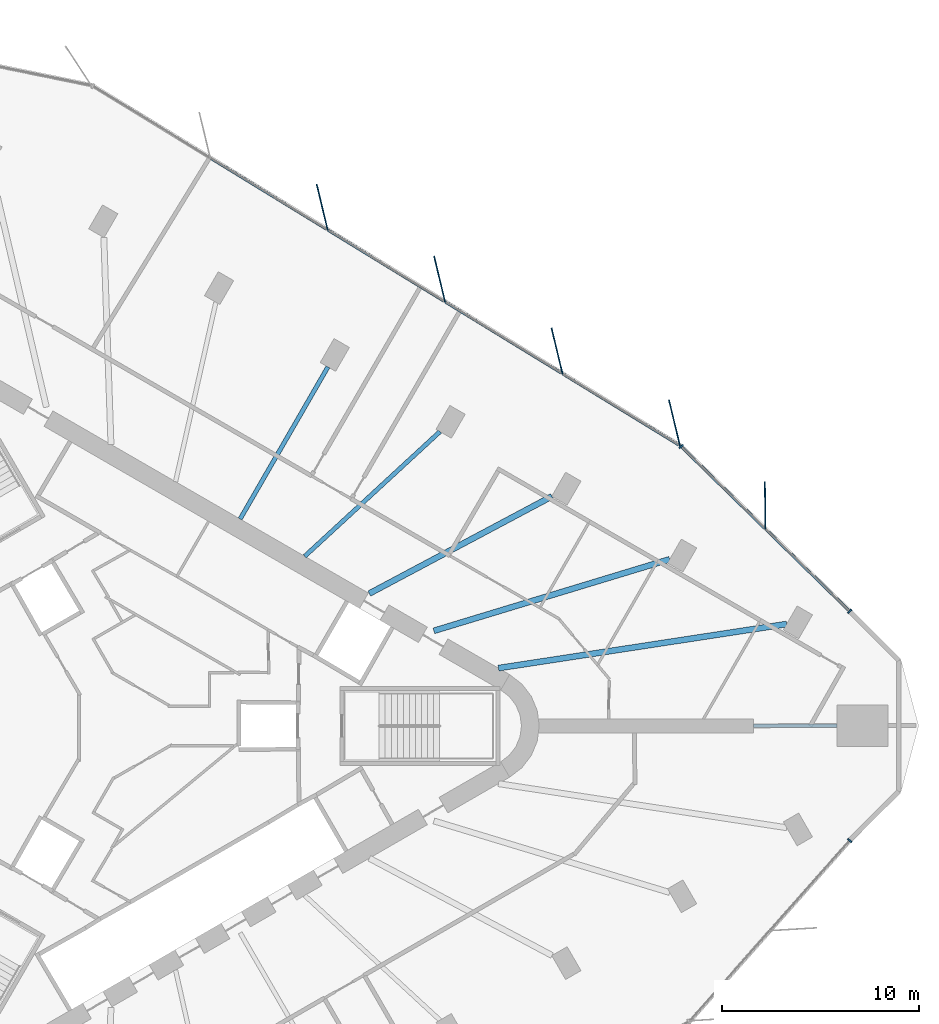
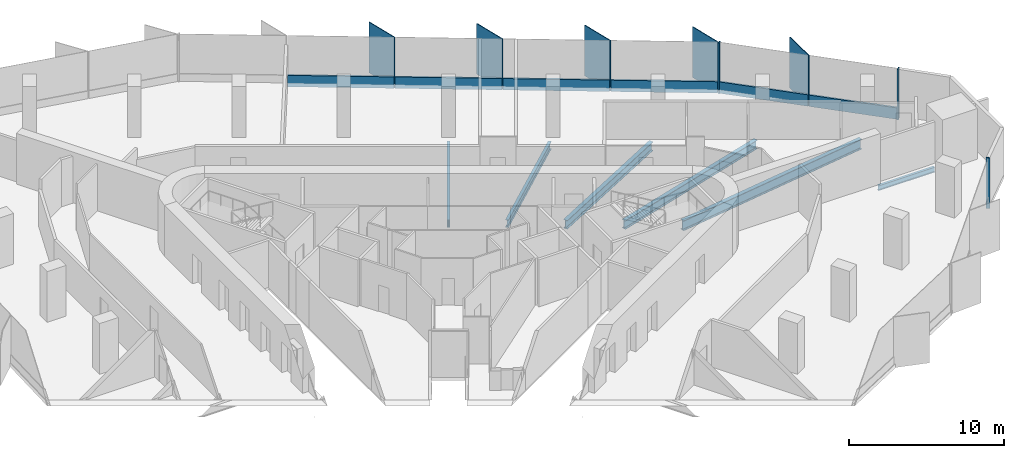
# One storey, part 5 of 14: 14 members, 6 beams, 3 elements without a shape of their own.
"""IFC4 building model written with IfcOpenShell, lengths in metres."""

from ifc_helpers import new_model, si_unit, direction, frame, origin, origin_2d, place, context, subcontext, project, spatial, rectangle, i_section, extrude, material, material_profile, profile_set, type_object, element, aggregate, save


model = new_model("IFC4")

# Units and contexts
model_context = context("Model", 3, precision=1e-05, world=origin(), true_north=direction((0.0, 1.0)))
body_context = subcontext(model_context, "Body", "Model", "MODEL_VIEW")
ifc_project = project(units=[si_unit("LENGTHUNIT", "METRE"), si_unit("AREAUNIT", "SQUARE_METRE"), si_unit("VOLUMEUNIT", "CUBIC_METRE"), si_unit("PLANEANGLEUNIT", "RADIAN"), si_unit("MASSUNIT", "GRAM", prefix="KILO")], contexts=[model_context])

# Site, building, storey
site_placement = place(None, origin())
site = spatial("IfcSite", under=ifc_project, at=site_placement, CompositionType="ELEMENT")
building_placement = place(site_placement, origin())
building = spatial("IfcBuilding", under=site, at=building_placement, Name="Tanit Gate Tower", CompositionType="ELEMENT")
storey_placement = place(building_placement, frame((0.0, 0.0, 249.199951171875)))
storey = spatial("IfcBuildingStorey", under=building, at=storey_placement, Name="L56", CompositionType="ELEMENT", Elevation=249.199951171875)

# Curtain wall, member
ifc_material_1 = material(Name="Aluminium bronze anodised and glass", Category="aluminium")
curtain_wall_type = type_object("IfcCurtainWallType", Name="Curtain wall typical mid", PredefinedType="NOTDEFINED", material=ifc_material_1)
curtain_wall_1_placement = place(storey_placement, origin())
curtain_wall_1 = element("IfcCurtainWall", 1, at=curtain_wall_1_placement, inside=storey, type_object=curtain_wall_type, Name="Curtain wall L56 NE1", PredefinedType="NOTDEFINED")
ifc_material_2 = material(Name="Aluminium bronze anodised", Category="aluminium")
ifc_material_profile_1 = material_profile(ifc_material_2, rectangle(XDim=2.39990234375, YDim=0.055908203125, at=origin_2d()), Name="56x2400 bronze fin mullion")
ifc_profile_set_1 = profile_set([ifc_material_profile_1], Name="Aluminium bronze anodised")
member_type_1 = type_object("IfcMemberType", Name="FIN MULLION 56x2400 bronze", PredefinedType="MULLION", material=ifc_profile_set_1)
member_1_placement = place(storey_placement, frame((32.64208984375, 11.155029296875, -0.300048828125), z_axis=(0.0, 0.0, 1.0), x_axis=(0.011210921491, -0.999937155645, 0.0)))
member_1 = element("IfcMember", 2, at=member_1_placement, type_object=member_type_1, Name="Fin mullion L56 NE1.2", PredefinedType="MULLION", context=body_context, shape_type="SweptSolid", body=[
    extrude(rectangle(XDim=2.39990234375, YDim=0.055908203125, at=origin_2d()), origin(), (0.0, 0.0, 1.0), 4.0),
])

# Curtain wall, members
curtain_wall_2_placement = place(storey_placement, origin())
curtain_wall_2 = element("IfcCurtainWall", 3, at=curtain_wall_2_placement, inside=storey, type_object=curtain_wall_type, Name="Curtain wall L56 NE2", PredefinedType="NOTDEFINED")
member_2_placement = place(storey_placement, frame((28.048828125, 15.344970703125, -0.300048828125), z_axis=(0.0, 0.0, 1.0), x_axis=(0.233691416098, -0.972310815553, 0.0)))
member_2 = element("IfcMember", 4, at=member_2_placement, type_object=member_type_1, Name="Fin mullion L56 NE2.1", PredefinedType="MULLION", context=body_context, shape_type="SweptSolid", body=[
    extrude(rectangle(XDim=2.39990234375, YDim=0.055908203125, at=origin_2d()), origin(), (0.0, 0.0, 1.0), 4.0),
])
member_3_placement = place(storey_placement, frame((22.101318359375, 18.987548828125, -0.300048828125), z_axis=(0.0, 0.0, 1.0), x_axis=(0.233691416098, -0.972310815553, 0.0)))
member_3 = element("IfcMember", 5, at=member_3_placement, type_object=member_type_1, Name="Fin mullion L56 NE2.2", PredefinedType="MULLION", context=body_context, shape_type="SweptSolid", body=[
    extrude(rectangle(XDim=2.39990234375, YDim=0.055908203125, at=origin_2d()), origin(), (0.0, 0.0, 1.0), 4.0),
])
member_4_placement = place(storey_placement, frame((16.154052734375, 22.6298828125, -0.300048828125), z_axis=(0.0, 0.0, 1.0), x_axis=(0.233691416098, -0.972310815553, 0.0)))
member_4 = element("IfcMember", 6, at=member_4_placement, type_object=member_type_1, Name="Fin mullion L56 NE2.3", PredefinedType="MULLION", context=body_context, shape_type="SweptSolid", body=[
    extrude(rectangle(XDim=2.39990234375, YDim=0.055908203125, at=origin_2d()), origin(), (0.0, 0.0, 1.0), 4.0),
])
member_5_placement = place(storey_placement, frame((10.206787109375, 26.2724609375, -0.300048828125), z_axis=(0.0, 0.0, 1.0), x_axis=(0.233691416098, -0.972310815553, 0.0)))
member_5 = element("IfcMember", 7, at=member_5_placement, type_object=member_type_1, Name="Fin mullion L56 NE2.4", PredefinedType="MULLION", context=body_context, shape_type="SweptSolid", body=[
    extrude(rectangle(XDim=2.39990234375, YDim=0.055908203125, at=origin_2d()), origin(), (0.0, 0.0, 1.0), 4.0),
])

# Member
ifc_material_3 = material(Name="Aluminium bronze anodised", Category="aluminium")
ifc_material_profile_2 = material_profile(ifc_material_3, rectangle(XDim=0.260009765625, YDim=0.080078125, at=origin_2d()), Name="80x260 bronze mullion")
ifc_profile_set_2 = profile_set([ifc_material_profile_2], Name="Aluminium bronze anodised")
member_type_2 = type_object("IfcMemberType", Name="Mullion 80x260 typical mid", PredefinedType="MULLION", material=ifc_profile_set_2)
member_6_placement = place(storey_placement, frame((36.923583984375, 5.802734375, -0.300048828125), z_axis=(0.0, 0.0, 1.0), x_axis=(-0.699135024907, -0.714989662126, 0.0)))
member_6 = element("IfcMember", 8, at=member_6_placement, type_object=member_type_2, Name="Mullion L56 NE1.1", PredefinedType="MULLION", context=body_context, shape_type="SweptSolid", body=[
    extrude(rectangle(XDim=0.260009765625, YDim=0.080078125, at=origin_2d()), origin(), (0.0, 0.0, 1.0), 4.0),
])

member_7_placement = place(storey_placement, frame((28.386962890625, 14.150146484375, -0.300048828125), z_axis=(0.0, 0.0, 1.0), x_axis=(-0.699135024907, -0.714989662126, 0.0)))
member_7 = element("IfcMember", 9, at=member_7_placement, type_object=member_type_2, Name="Mullion L56 NE1.3", PredefinedType="MULLION", context=body_context, shape_type="SweptSolid", body=[
    extrude(rectangle(XDim=0.260009765625, YDim=0.080078125, at=origin_2d()), origin(), (0.0, 0.0, 1.0), 4.0),
])

# Curtain wall, member
curtain_wall_3_placement = place(storey_placement, origin())
curtain_wall_3 = element("IfcCurtainWall", 10, at=curtain_wall_3_placement, inside=storey, type_object=curtain_wall_type, Name="Curtain wall L56 SE3", PredefinedType="NOTDEFINED")
member_8_placement = place(storey_placement, frame((36.922607421875, -5.807861328125, -0.300048828125), z_axis=(0.0, 0.0, 1.0), x_axis=(-0.748461606698, 0.663178123356, 0.0)))
member_8 = element("IfcMember", 11, at=member_8_placement, type_object=member_type_2, Name="Mullion L56 SE3.3", PredefinedType="MULLION", context=body_context, shape_type="SweptSolid", body=[
    extrude(rectangle(XDim=0.260009765625, YDim=0.080078125, at=origin_2d()), origin(), (0.0, 0.0, 1.0), 4.0),
])
aggregate(curtain_wall_3, [member_8])

# Beams
ifc_material_4 = material(Name="Steel S355", Category="steel")
ifc_material_profile_3 = material_profile(ifc_material_4, i_section(OverallWidth=0.300048828125, OverallDepth=0.68994140625, WebThickness=0.014404296875, FlangeThickness=0.027099609375, FilletRadius=0.027099609375, at=origin_2d()), Name="HEA 700")
ifc_profile_set_3 = profile_set([ifc_material_profile_3], Name="Steel S355")
beam_type_1 = type_object("IfcBeamType", Name="RADIAL GIRDER HEA 700 S355", PredefinedType="BEAM", material=ifc_profile_set_3)
beam_1_placement = place(storey_placement, frame((27.80810546875, 8.439208984375, -0.64501953125), z_axis=(-0.956906204487, -0.290397169089, 0.0), x_axis=(0.290397169089, -0.956906204487, 0.0)))
element("IfcBeam", 12, at=beam_1_placement, inside=storey, type_object=beam_type_1, Name="RADIAL GIRDER", PredefinedType="BEAM", context=body_context, shape_type="SweptSolid", body=[
    extrude(i_section(OverallWidth=0.300048828125, OverallDepth=0.68994140625, WebThickness=0.014404296875, FlangeThickness=0.027099609375, FilletRadius=0.027099609375, at=origin_2d()), origin(), (0.0, 0.0, 1.0), 12.481201171875),
])
beam_2_placement = place(storey_placement, frame((21.845947265625, 11.628173828125, -0.64501953125), z_axis=(-0.882742084466, -0.469857863947, 0.0), x_axis=(0.469857863947, -0.882742084466, 0.0)))
element("IfcBeam", 13, at=beam_2_placement, inside=storey, type_object=beam_type_1, Name="RADIAL GIRDER", PredefinedType="BEAM", context=body_context, shape_type="SweptSolid", body=[
    extrude(i_section(OverallWidth=0.300048828125, OverallDepth=0.68994140625, WebThickness=0.014404296875, FlangeThickness=0.027099609375, FilletRadius=0.027099609375, at=origin_2d()), origin(), (0.0, 0.0, 1.0), 10.4814453125),
])
ifc_material_5 = material(Name="Steel S355", Category="steel")
ifc_material_profile_4 = material_profile(ifc_material_5, i_section(OverallWidth=0.300048828125, OverallDepth=0.7900390625, WebThickness=0.014892578125, FlangeThickness=0.028076171875, FilletRadius=0.030029296875, at=origin_2d()), Name="HEA 800")
ifc_profile_set_4 = profile_set([ifc_material_profile_4], Name="Steel S355")
beam_type_2 = type_object("IfcBeamType", Name="RADIAL GIRDER HEA 800 S355", PredefinedType="BEAM", material=ifc_profile_set_4)
beam_3_placement = place(storey_placement, frame((33.732177734375, 5.157958984375, -0.695068359375), z_axis=(-0.988510058129, -0.151155102389, 0.0), x_axis=(0.151155102389, -0.988510058129, 0.0)))
element("IfcBeam", 14, at=beam_3_placement, inside=storey, type_object=beam_type_2, Name="RADIAL GIRDER", PredefinedType="BEAM", context=body_context, shape_type="SweptSolid", body=[
    extrude(i_section(OverallWidth=0.300048828125, OverallDepth=0.7900390625, WebThickness=0.014892578125, FlangeThickness=0.028076171875, FilletRadius=0.030029296875, at=origin_2d()), origin(), (0.0, 0.0, 1.0), 14.765869140625),
])
ifc_material_6 = material(Name="Steel S355", Category="steel")
ifc_material_profile_5 = material_profile(ifc_material_6, i_section(OverallWidth=0.179931640625, OverallDepth=0.39990234375, WebThickness=0.008544921875, FlangeThickness=0.013427734375, FilletRadius=0.02099609375, at=origin_2d()), Name="IPE 400")
ifc_profile_set_5 = profile_set([ifc_material_profile_5], Name="Steel S355")
beam_type_3 = type_object("IfcBeamType", Name="RADIAL GIRDER IPE 400 S355", PredefinedType="BEAM", material=ifc_profile_set_5)
beam_4_placement = place(storey_placement, frame((36.269775390625, 0.0, -0.5), z_axis=(-1.0, 0.0, 0.0), x_axis=(0.0, -1.0, 0.0)))
element("IfcBeam", 15, at=beam_4_placement, inside=storey, type_object=beam_type_3, Name="RADIAL GIRDER", PredefinedType="BEAM", context=body_context, shape_type="SweptSolid", body=[
    extrude(i_section(OverallWidth=0.179931640625, OverallDepth=0.39990234375, WebThickness=0.008544921875, FlangeThickness=0.013427734375, FilletRadius=0.02099609375, at=origin_2d()), origin(), (0.0, 0.0, 1.0), 4.219482421875),
])
ifc_material_7 = material(Name="Steel S355", Category="steel")
ifc_material_profile_6 = material_profile(ifc_material_7, i_section(OverallWidth=0.219970703125, OverallDepth=0.60009765625, WebThickness=0.011962890625, FlangeThickness=0.01904296875, FilletRadius=0.02392578125, at=origin_2d()), Name="IPE 600")
ifc_profile_set_6 = profile_set([ifc_material_profile_6], Name="Steel S355")
beam_type_4 = type_object("IfcBeamType", Name="RADIAL GIRDER IPE 600 S355", PredefinedType="BEAM", material=ifc_profile_set_6)
beam_5_placement = place(storey_placement, frame((16.17138671875, 14.904296875, -0.599853515625), z_axis=(-0.735338835574, -0.677699636193, 0.0), x_axis=(0.677699636193, -0.735338835574, 0.0)))
element("IfcBeam", 16, at=beam_5_placement, inside=storey, type_object=beam_type_4, Name="RADIAL GIRDER", PredefinedType="BEAM", context=body_context, shape_type="SweptSolid", body=[
    extrude(i_section(OverallWidth=0.219970703125, OverallDepth=0.60009765625, WebThickness=0.011962890625, FlangeThickness=0.01904296875, FilletRadius=0.02392578125, at=origin_2d()), origin(), (0.0, 0.0, 1.0), 9.314208984375),
])
beam_6_placement = place(storey_placement, frame((10.49658203125, 18.1806640625, -0.599853515625), z_axis=(-0.499998967409, -0.866025999951, 0.0), x_axis=(0.866025999951, -0.499998967409, 0.0)))
element("IfcBeam", 17, at=beam_6_placement, inside=storey, type_object=beam_type_4, Name="RADIAL GIRDER", PredefinedType="BEAM", context=body_context, shape_type="SweptSolid", body=[
    extrude(i_section(OverallWidth=0.219970703125, OverallDepth=0.60009765625, WebThickness=0.011962890625, FlangeThickness=0.01904296875, FilletRadius=0.02392578125, at=origin_2d()), origin(), (0.0, 0.0, 1.0), 8.89111328125),
])

# Member
ifc_material_8 = material(Name="Aluminium bronze anodised", Category="aluminium")
ifc_material_profile_7 = material_profile(ifc_material_8, rectangle(XDim=0.139892578125, YDim=0.89990234375, at=origin_2d()), Name="140x900 bronze transom")
ifc_profile_set_7 = profile_set([ifc_material_profile_7], Name="Aluminium bronze anodised")
member_type_3 = type_object("IfcMemberType", Name="Transom 140x900 typical mid", PredefinedType="USERDEFINED", material=ifc_profile_set_7)
member_9_placement = place(storey_placement, frame((36.894775390625, 5.830810546875, 0.150146484375), z_axis=(-0.714979961132, 0.699144945759, 0.0), x_axis=(-0.699144945759, -0.714979961132, 0.0)))
member_9 = element("IfcMember", 18, at=member_9_placement, type_object=member_type_3, Name="Transom L56 NE1.1", ObjectType="TRANSOM", PredefinedType="USERDEFINED", context=body_context, shape_type="SweptSolid", body=[
    extrude(rectangle(XDim=0.139892578125, YDim=0.89990234375, at=origin_2d()), origin(), (0.0, 0.0, 1.0), 5.8896484375),
])

member_10_placement = place(storey_placement, frame((32.626708984375, 10.00439453125, 0.150146484375), z_axis=(-0.71500022257, 0.699124224817, 0.0), x_axis=(-0.699124224817, -0.71500022257, 0.0)))
member_10 = element("IfcMember", 19, at=member_10_placement, type_object=member_type_3, Name="Transom L56 NE1.2", ObjectType="TRANSOM", PredefinedType="USERDEFINED", context=body_context, shape_type="SweptSolid", body=[
    extrude(rectangle(XDim=0.139892578125, YDim=0.89990234375, at=origin_2d()), origin(), (0.0, 0.0, 1.0), 5.8896484375),
])

aggregate(curtain_wall_1, [member_6, member_1, member_7, member_9, member_10])

member_11_placement = place(storey_placement, frame((28.2900390625, 14.2197265625, 0.150146484375), z_axis=(-0.852764075529, 0.522296306216, 0.0), x_axis=(-0.522296306216, -0.852764075529, 0.0)))
member_11 = element("IfcMember", 20, at=member_11_placement, type_object=member_type_3, Name="Transom L56 NE2.1", ObjectType="TRANSOM", PredefinedType="USERDEFINED", context=body_context, shape_type="SweptSolid", body=[
    extrude(rectangle(XDim=0.139892578125, YDim=0.89990234375, at=origin_2d()), origin(), (0.0, 0.0, 1.0), 6.894287109375),
])

member_12_placement = place(storey_placement, frame((22.3427734375, 17.8623046875, 0.150146484375), z_axis=(-0.852779847921, 0.52227055343, 0.0), x_axis=(-0.52227055343, -0.852779847921, 0.0)))
member_12 = element("IfcMember", 21, at=member_12_placement, type_object=member_type_3, Name="Transom L56 NE2.2", ObjectType="TRANSOM", PredefinedType="USERDEFINED", context=body_context, shape_type="SweptSolid", body=[
    extrude(rectangle(XDim=0.139892578125, YDim=0.89990234375, at=origin_2d()), origin(), (0.0, 0.0, 1.0), 6.89404296875),
])

member_13_placement = place(storey_placement, frame((16.3955078125, 21.504638671875, 0.150146484375), z_axis=(-0.852764075529, 0.522296306216, 0.0), x_axis=(-0.522296306216, -0.852764075529, 0.0)))
member_13 = element("IfcMember", 22, at=member_13_placement, type_object=member_type_3, Name="Transom L56 NE2.3", ObjectType="TRANSOM", PredefinedType="USERDEFINED", context=body_context, shape_type="SweptSolid", body=[
    extrude(rectangle(XDim=0.139892578125, YDim=0.89990234375, at=origin_2d()), origin(), (0.0, 0.0, 1.0), 6.894287109375),
])

member_14_placement = place(storey_placement, frame((10.4482421875, 25.147216796875, 0.150146484375), z_axis=(-0.852779847921, 0.52227055343, 0.0), x_axis=(-0.52227055343, -0.852779847921, 0.0)))
member_14 = element("IfcMember", 23, at=member_14_placement, type_object=member_type_3, Name="Transom L56 NE2.4", ObjectType="TRANSOM", PredefinedType="USERDEFINED", context=body_context, shape_type="SweptSolid", body=[
    extrude(rectangle(XDim=0.139892578125, YDim=0.89990234375, at=origin_2d()), origin(), (0.0, 0.0, 1.0), 6.89404296875),
])

aggregate(curtain_wall_2, [member_2, member_3, member_4, member_5, member_11, member_12, member_13, member_14])

save(model, "model.ifc")
